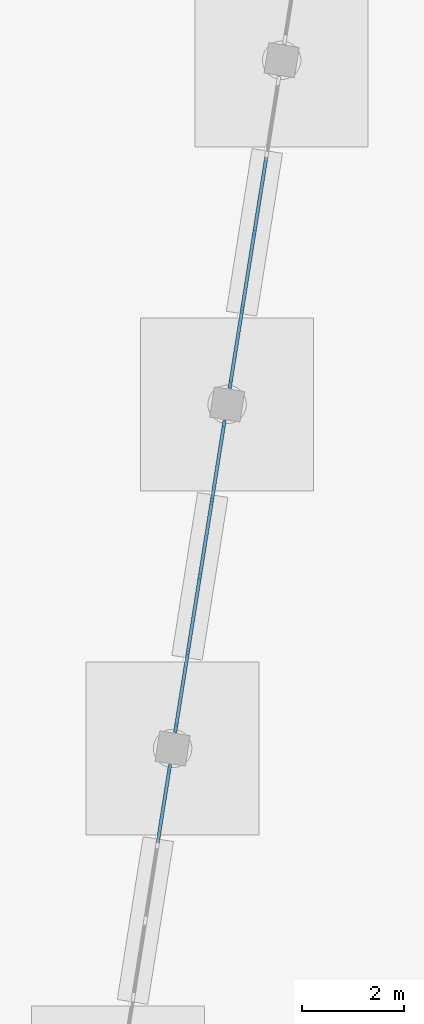
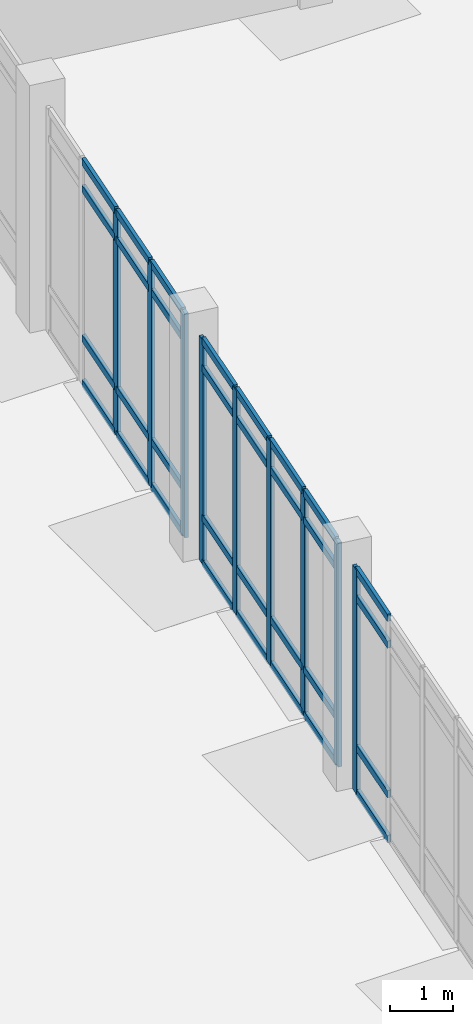
# One storey, part 16 of 72: 41 members, 3 elements without a shape of their own.
"""IFC4 building model written with IfcOpenShell, lengths in metres."""

from ifc_helpers import new_model, si_unit, direction, frame, origin, origin_2d, place, context, subcontext, project, spatial, rectangle, extrude, material, material_profile, profile_set, type_object, element, aggregate, save


model = new_model("IFC4")

# Units and contexts
model_context = context("Model", 3, precision=1e-05, world=origin(), true_north=direction((0.0, 1.0)))
body_context = subcontext(model_context, "Body", "Model", "MODEL_VIEW")
ifc_project = project(units=[si_unit("LENGTHUNIT", "METRE"), si_unit("AREAUNIT", "SQUARE_METRE"), si_unit("VOLUMEUNIT", "CUBIC_METRE"), si_unit("PLANEANGLEUNIT", "RADIAN"), si_unit("MASSUNIT", "GRAM", prefix="KILO")], contexts=[model_context])

# Site, building, storey
site_placement = place(None, origin())
site = spatial("IfcSite", under=ifc_project, at=site_placement, CompositionType="ELEMENT")
building_placement = place(site_placement, origin())
building = spatial("IfcBuilding", under=site, at=building_placement, Name="Cinderway Yard Community Centre", CompositionType="ELEMENT")
storey_placement = place(building_placement, origin())
storey = spatial("IfcBuildingStorey", under=building, at=storey_placement, Name="L00", CompositionType="ELEMENT", Elevation=0.0)

# Curtain wall, member
ifc_material = material(Name="Aluminium 6063-T6", Category="aluminium")
curtain_wall_type = type_object("IfcCurtainWallType", Name="ENV-CW-TYPE-12", PredefinedType="USERDEFINED", material=ifc_material)
curtain_wall_1_placement = place(storey_placement, origin())
curtain_wall_1 = element("IfcCurtainWall", 1, at=curtain_wall_1_placement, inside=storey, type_object=curtain_wall_type, Name="Sports Hall Courtyard Curtain Wall ENV-CW-L00-HS-0046", ObjectType="GLAZED CURTAIN WALL", PredefinedType="USERDEFINED")
ifc_material_profile_1 = material_profile(ifc_material, rectangle(XDim=0.06494140625, YDim=0.179931640625, at=origin_2d()), Name="Aluminium 6063-T6")
ifc_profile_set_1 = profile_set([ifc_material_profile_1], Name="Aluminium 6063-T6")
member_type_1 = type_object("IfcMemberType", Name="ENV-CW-MULL-180", PredefinedType="MULLION", material=ifc_profile_set_1)
member_1_placement = place(storey_placement, frame((121.127197265625, 57.744384765625, 0.0), z_axis=(0.0, 0.0, 1.0), x_axis=(-0.987686334358, 0.1564471314, 0.0)))
member_1 = element("IfcMember", 2, at=member_1_placement, type_object=member_type_1, Name="CW-12 mullion 5", PredefinedType="MULLION", context=body_context, shape_type="SweptSolid", body=[
    extrude(rectangle(XDim=0.06494140625, YDim=0.179931640625, at=origin_2d()), origin(), (0.0, 0.0, 1.0), 4.35009765625),
])

# Curtain wall, members
curtain_wall_2_placement = place(storey_placement, origin())
curtain_wall_2 = element("IfcCurtainWall", 3, at=curtain_wall_2_placement, inside=storey, type_object=curtain_wall_type, Name="Sports Hall Courtyard Curtain Wall ENV-CW-L00-HS-0047", ObjectType="GLAZED CURTAIN WALL", PredefinedType="USERDEFINED")
member_2_placement = place(storey_placement, frame((121.254638671875, 58.5537109375, 0.0), z_axis=(0.0, 0.0, 1.0), x_axis=(-0.987660740525, 0.156608625643, 0.0)))
member_2 = element("IfcMember", 4, at=member_2_placement, type_object=member_type_1, Name="CW-12 mullion 1", PredefinedType="MULLION", context=body_context, shape_type="SweptSolid", body=[
    extrude(rectangle(XDim=0.06494140625, YDim=0.179931640625, at=origin_2d()), origin(), (0.0, 0.0, 1.0), 4.35009765625),
])
member_3_placement = place(storey_placement, frame((121.486572265625, 60.015380859375, 0.0), z_axis=(0.0, 0.0, 1.0), x_axis=(-0.987660740525, 0.156608625643, 0.0)))
member_3 = element("IfcMember", 5, at=member_3_placement, type_object=member_type_1, Name="CW-12 mullion 2", PredefinedType="MULLION", context=body_context, shape_type="SweptSolid", body=[
    extrude(rectangle(XDim=0.06494140625, YDim=0.179931640625, at=origin_2d()), origin(), (0.0, 0.0, 1.0), 4.35009765625),
])
member_4_placement = place(storey_placement, frame((121.722900390625, 61.507080078125, 0.0), z_axis=(0.0, 0.0, 1.0), x_axis=(-0.987660740525, 0.156608625643, 0.0)))
member_4 = element("IfcMember", 6, at=member_4_placement, type_object=member_type_1, Name="CW-12 mullion 3", PredefinedType="MULLION", context=body_context, shape_type="SweptSolid", body=[
    extrude(rectangle(XDim=0.06494140625, YDim=0.179931640625, at=origin_2d()), origin(), (0.0, 0.0, 1.0), 4.35009765625),
])
member_5_placement = place(storey_placement, frame((121.95947265625, 62.99853515625, 0.0), z_axis=(0.0, 0.0, 1.0), x_axis=(-0.987660740525, 0.156608625643, 0.0)))
member_5 = element("IfcMember", 7, at=member_5_placement, type_object=member_type_1, Name="CW-12 mullion 4", PredefinedType="MULLION", context=body_context, shape_type="SweptSolid", body=[
    extrude(rectangle(XDim=0.06494140625, YDim=0.179931640625, at=origin_2d()), origin(), (0.0, 0.0, 1.0), 4.35009765625),
])
member_6_placement = place(storey_placement, frame((122.19140625, 64.46044921875, 0.0), z_axis=(0.0, 0.0, 1.0), x_axis=(-0.987660740525, 0.156608625643, 0.0)))
member_6 = element("IfcMember", 8, at=member_6_placement, type_object=member_type_1, Name="CW-12 mullion 5", PredefinedType="MULLION", context=body_context, shape_type="SweptSolid", body=[
    extrude(rectangle(XDim=0.06494140625, YDim=0.179931640625, at=origin_2d()), origin(), (0.0, 0.0, 1.0), 4.35009765625),
])

curtain_wall_3_placement = place(storey_placement, origin())
curtain_wall_3 = element("IfcCurtainWall", 9, at=curtain_wall_3_placement, inside=storey, type_object=curtain_wall_type, Name="Sports Hall Courtyard Curtain Wall ENV-CW-L00-HS-0048", ObjectType="GLAZED CURTAIN WALL", PredefinedType="USERDEFINED")
member_7_placement = place(storey_placement, frame((122.318603515625, 65.26953125, 0.0), z_axis=(0.0, 0.0, 1.0), x_axis=(-0.987660740525, 0.156608625643, 0.0)))
member_7 = element("IfcMember", 10, at=member_7_placement, type_object=member_type_1, Name="CW-12 mullion 1", PredefinedType="MULLION", context=body_context, shape_type="SweptSolid", body=[
    extrude(rectangle(XDim=0.06494140625, YDim=0.179931640625, at=origin_2d()), origin(), (0.0, 0.0, 1.0), 4.35009765625),
])
member_8_placement = place(storey_placement, frame((122.550537109375, 66.7314453125, 0.0), z_axis=(0.0, 0.0, 1.0), x_axis=(-0.987660740525, 0.156608625643, 0.0)))
member_8 = element("IfcMember", 11, at=member_8_placement, type_object=member_type_1, Name="CW-12 mullion 2", PredefinedType="MULLION", context=body_context, shape_type="SweptSolid", body=[
    extrude(rectangle(XDim=0.06494140625, YDim=0.179931640625, at=origin_2d()), origin(), (0.0, 0.0, 1.0), 4.35009765625),
])
member_9_placement = place(storey_placement, frame((122.787109375, 68.222900390625, 0.0), z_axis=(0.0, 0.0, 1.0), x_axis=(-0.987660740525, 0.156608625643, 0.0)))
member_9 = element("IfcMember", 12, at=member_9_placement, type_object=member_type_1, Name="CW-12 mullion 3", PredefinedType="MULLION", context=body_context, shape_type="SweptSolid", body=[
    extrude(rectangle(XDim=0.06494140625, YDim=0.179931640625, at=origin_2d()), origin(), (0.0, 0.0, 1.0), 4.35009765625),
])

# Member
ifc_material_profile_2 = material_profile(ifc_material, rectangle(XDim=0.06494140625, YDim=0.139892578125, at=origin_2d()), Name="Aluminium 6063-T6")
ifc_profile_set_2 = profile_set([ifc_material_profile_2], Name="Aluminium 6063-T6")
member_type_2 = type_object("IfcMemberType", Name="ENV-CW-TRAN-140", PredefinedType="USERDEFINED", material=ifc_profile_set_2)
member_10_placement = place(storey_placement, frame((120.900390625, 56.31201171875, 0.030029296875), z_axis=(0.156421554245, 0.987690385378, 0.0), x_axis=(-0.987690385378, 0.156421554245, 0.0)))
member_10 = element("IfcMember", 13, at=member_10_placement, type_object=member_type_2, Name="CW-12 transom 4.1", ObjectType="TRANSOM", PredefinedType="USERDEFINED", context=body_context, shape_type="SweptSolid", body=[
    extrude(rectangle(XDim=0.06494140625, YDim=0.139892578125, at=origin_2d()), origin(), (0.0, 0.0, 1.0), 1.42041015625),
])

member_11_placement = place(storey_placement, frame((120.900390625, 56.31201171875, 0.89990234375), z_axis=(0.156421554245, 0.987690385378, 0.0), x_axis=(-0.987690385378, 0.156421554245, 0.0)))
member_11 = element("IfcMember", 14, at=member_11_placement, type_object=member_type_2, Name="CW-12 transom 4.2", ObjectType="TRANSOM", PredefinedType="USERDEFINED", context=body_context, shape_type="SweptSolid", body=[
    extrude(rectangle(XDim=0.06494140625, YDim=0.139892578125, at=origin_2d()), origin(), (0.0, 0.0, 1.0), 1.42041015625),
])

member_12_placement = place(storey_placement, frame((120.900390625, 56.31201171875, 3.800048828125), z_axis=(0.156421554245, 0.987690385378, 0.0), x_axis=(-0.987690385378, 0.156421554245, 0.0)))
member_12 = element("IfcMember", 15, at=member_12_placement, type_object=member_type_2, Name="CW-12 transom 4.3", ObjectType="TRANSOM", PredefinedType="USERDEFINED", context=body_context, shape_type="SweptSolid", body=[
    extrude(rectangle(XDim=0.06494140625, YDim=0.139892578125, at=origin_2d()), origin(), (0.0, 0.0, 1.0), 1.42041015625),
])

member_13_placement = place(storey_placement, frame((120.900390625, 56.31201171875, 4.320068359375), z_axis=(0.156421554245, 0.987690385378, 0.0), x_axis=(-0.987690385378, 0.156421554245, 0.0)))
member_13 = element("IfcMember", 16, at=member_13_placement, type_object=member_type_2, Name="CW-12 transom 4.4", ObjectType="TRANSOM", PredefinedType="USERDEFINED", context=body_context, shape_type="SweptSolid", body=[
    extrude(rectangle(XDim=0.06494140625, YDim=0.139892578125, at=origin_2d()), origin(), (0.0, 0.0, 1.0), 1.42041015625),
])

aggregate(curtain_wall_1, [member_1, member_10, member_11, member_12, member_13])

member_14_placement = place(storey_placement, frame((121.25927734375, 58.583251953125, 0.030029296875), z_axis=(0.156615821604, 0.987659599469, 0.0), x_axis=(-0.987659599469, 0.156615821604, 0.0)))
member_14 = element("IfcMember", 17, at=member_14_placement, type_object=member_type_2, Name="CW-12 transom 1.1", ObjectType="TRANSOM", PredefinedType="USERDEFINED", context=body_context, shape_type="SweptSolid", body=[
    extrude(rectangle(XDim=0.06494140625, YDim=0.139892578125, at=origin_2d()), origin(), (0.0, 0.0, 1.0), 1.420166015625),
])

member_15_placement = place(storey_placement, frame((121.25927734375, 58.583251953125, 0.89990234375), z_axis=(0.156615821604, 0.987659599469, 0.0), x_axis=(-0.987659599469, 0.156615821604, 0.0)))
member_15 = element("IfcMember", 18, at=member_15_placement, type_object=member_type_2, Name="CW-12 transom 1.2", ObjectType="TRANSOM", PredefinedType="USERDEFINED", context=body_context, shape_type="SweptSolid", body=[
    extrude(rectangle(XDim=0.06494140625, YDim=0.139892578125, at=origin_2d()), origin(), (0.0, 0.0, 1.0), 1.420166015625),
])

member_16_placement = place(storey_placement, frame((121.25927734375, 58.583251953125, 3.800048828125), z_axis=(0.156615821604, 0.987659599469, 0.0), x_axis=(-0.987659599469, 0.156615821604, 0.0)))
member_16 = element("IfcMember", 19, at=member_16_placement, type_object=member_type_2, Name="CW-12 transom 1.3", ObjectType="TRANSOM", PredefinedType="USERDEFINED", context=body_context, shape_type="SweptSolid", body=[
    extrude(rectangle(XDim=0.06494140625, YDim=0.139892578125, at=origin_2d()), origin(), (0.0, 0.0, 1.0), 1.420166015625),
])

member_17_placement = place(storey_placement, frame((121.25927734375, 58.583251953125, 4.320068359375), z_axis=(0.156615821604, 0.987659599469, 0.0), x_axis=(-0.987659599469, 0.156615821604, 0.0)))
member_17 = element("IfcMember", 20, at=member_17_placement, type_object=member_type_2, Name="CW-12 transom 1.4", ObjectType="TRANSOM", PredefinedType="USERDEFINED", context=body_context, shape_type="SweptSolid", body=[
    extrude(rectangle(XDim=0.06494140625, YDim=0.139892578125, at=origin_2d()), origin(), (0.0, 0.0, 1.0), 1.420166015625),
])

member_18_placement = place(storey_placement, frame((121.4912109375, 60.045166015625, 0.030029296875), z_axis=(0.156585060263, 0.987664476886, 0.0), x_axis=(-0.987664476886, 0.156585060263, 0.0)))
member_18 = element("IfcMember", 21, at=member_18_placement, type_object=member_type_2, Name="CW-12 transom 2.1", ObjectType="TRANSOM", PredefinedType="USERDEFINED", context=body_context, shape_type="SweptSolid", body=[
    extrude(rectangle(XDim=0.06494140625, YDim=0.139892578125, at=origin_2d()), origin(), (0.0, 0.0, 1.0), 1.449951171875),
])

member_19_placement = place(storey_placement, frame((121.4912109375, 60.045166015625, 0.89990234375), z_axis=(0.156585060263, 0.987664476886, 0.0), x_axis=(-0.987664476886, 0.156585060263, 0.0)))
member_19 = element("IfcMember", 22, at=member_19_placement, type_object=member_type_2, Name="CW-12 transom 2.2", ObjectType="TRANSOM", PredefinedType="USERDEFINED", context=body_context, shape_type="SweptSolid", body=[
    extrude(rectangle(XDim=0.06494140625, YDim=0.139892578125, at=origin_2d()), origin(), (0.0, 0.0, 1.0), 1.449951171875),
])

member_20_placement = place(storey_placement, frame((121.4912109375, 60.045166015625, 3.800048828125), z_axis=(0.156585060263, 0.987664476886, 0.0), x_axis=(-0.987664476886, 0.156585060263, 0.0)))
member_20 = element("IfcMember", 23, at=member_20_placement, type_object=member_type_2, Name="CW-12 transom 2.3", ObjectType="TRANSOM", PredefinedType="USERDEFINED", context=body_context, shape_type="SweptSolid", body=[
    extrude(rectangle(XDim=0.06494140625, YDim=0.139892578125, at=origin_2d()), origin(), (0.0, 0.0, 1.0), 1.449951171875),
])

member_21_placement = place(storey_placement, frame((121.4912109375, 60.045166015625, 4.320068359375), z_axis=(0.156585060263, 0.987664476886, 0.0), x_axis=(-0.987664476886, 0.156585060263, 0.0)))
member_21 = element("IfcMember", 24, at=member_21_placement, type_object=member_type_2, Name="CW-12 transom 2.4", ObjectType="TRANSOM", PredefinedType="USERDEFINED", context=body_context, shape_type="SweptSolid", body=[
    extrude(rectangle(XDim=0.06494140625, YDim=0.139892578125, at=origin_2d()), origin(), (0.0, 0.0, 1.0), 1.449951171875),
])

member_22_placement = place(storey_placement, frame((121.727783203125, 61.53662109375, 0.030029296875), z_axis=(0.156585060263, 0.987664476886, 0.0), x_axis=(-0.987664476886, 0.156585060263, 0.0)))
member_22 = element("IfcMember", 25, at=member_22_placement, type_object=member_type_2, Name="CW-12 transom 3.1", ObjectType="TRANSOM", PredefinedType="USERDEFINED", context=body_context, shape_type="SweptSolid", body=[
    extrude(rectangle(XDim=0.06494140625, YDim=0.139892578125, at=origin_2d()), origin(), (0.0, 0.0, 1.0), 1.449951171875),
])

member_23_placement = place(storey_placement, frame((121.727783203125, 61.53662109375, 0.89990234375), z_axis=(0.156585060263, 0.987664476886, 0.0), x_axis=(-0.987664476886, 0.156585060263, 0.0)))
member_23 = element("IfcMember", 26, at=member_23_placement, type_object=member_type_2, Name="CW-12 transom 3.2", ObjectType="TRANSOM", PredefinedType="USERDEFINED", context=body_context, shape_type="SweptSolid", body=[
    extrude(rectangle(XDim=0.06494140625, YDim=0.139892578125, at=origin_2d()), origin(), (0.0, 0.0, 1.0), 1.449951171875),
])

member_24_placement = place(storey_placement, frame((121.727783203125, 61.53662109375, 3.800048828125), z_axis=(0.156585060263, 0.987664476886, 0.0), x_axis=(-0.987664476886, 0.156585060263, 0.0)))
member_24 = element("IfcMember", 27, at=member_24_placement, type_object=member_type_2, Name="CW-12 transom 3.3", ObjectType="TRANSOM", PredefinedType="USERDEFINED", context=body_context, shape_type="SweptSolid", body=[
    extrude(rectangle(XDim=0.06494140625, YDim=0.139892578125, at=origin_2d()), origin(), (0.0, 0.0, 1.0), 1.449951171875),
])

member_25_placement = place(storey_placement, frame((121.727783203125, 61.53662109375, 4.320068359375), z_axis=(0.156585060263, 0.987664476886, 0.0), x_axis=(-0.987664476886, 0.156585060263, 0.0)))
member_25 = element("IfcMember", 28, at=member_25_placement, type_object=member_type_2, Name="CW-12 transom 3.4", ObjectType="TRANSOM", PredefinedType="USERDEFINED", context=body_context, shape_type="SweptSolid", body=[
    extrude(rectangle(XDim=0.06494140625, YDim=0.139892578125, at=origin_2d()), origin(), (0.0, 0.0, 1.0), 1.449951171875),
])

member_26_placement = place(storey_placement, frame((121.964111328125, 63.028076171875, 0.030029296875), z_axis=(0.156615821604, 0.987659599469, 0.0), x_axis=(-0.987659599469, 0.156615821604, 0.0)))
member_26 = element("IfcMember", 29, at=member_26_placement, type_object=member_type_2, Name="CW-12 transom 4.1", ObjectType="TRANSOM", PredefinedType="USERDEFINED", context=body_context, shape_type="SweptSolid", body=[
    extrude(rectangle(XDim=0.06494140625, YDim=0.139892578125, at=origin_2d()), origin(), (0.0, 0.0, 1.0), 1.420166015625),
])

member_27_placement = place(storey_placement, frame((121.964111328125, 63.028076171875, 0.89990234375), z_axis=(0.156615821604, 0.987659599469, 0.0), x_axis=(-0.987659599469, 0.156615821604, 0.0)))
member_27 = element("IfcMember", 30, at=member_27_placement, type_object=member_type_2, Name="CW-12 transom 4.2", ObjectType="TRANSOM", PredefinedType="USERDEFINED", context=body_context, shape_type="SweptSolid", body=[
    extrude(rectangle(XDim=0.06494140625, YDim=0.139892578125, at=origin_2d()), origin(), (0.0, 0.0, 1.0), 1.420166015625),
])

member_28_placement = place(storey_placement, frame((121.964111328125, 63.028076171875, 3.800048828125), z_axis=(0.156615821604, 0.987659599469, 0.0), x_axis=(-0.987659599469, 0.156615821604, 0.0)))
member_28 = element("IfcMember", 31, at=member_28_placement, type_object=member_type_2, Name="CW-12 transom 4.3", ObjectType="TRANSOM", PredefinedType="USERDEFINED", context=body_context, shape_type="SweptSolid", body=[
    extrude(rectangle(XDim=0.06494140625, YDim=0.139892578125, at=origin_2d()), origin(), (0.0, 0.0, 1.0), 1.420166015625),
])

member_29_placement = place(storey_placement, frame((121.964111328125, 63.028076171875, 4.320068359375), z_axis=(0.156615821604, 0.987659599469, 0.0), x_axis=(-0.987659599469, 0.156615821604, 0.0)))
member_29 = element("IfcMember", 32, at=member_29_placement, type_object=member_type_2, Name="CW-12 transom 4.4", ObjectType="TRANSOM", PredefinedType="USERDEFINED", context=body_context, shape_type="SweptSolid", body=[
    extrude(rectangle(XDim=0.06494140625, YDim=0.139892578125, at=origin_2d()), origin(), (0.0, 0.0, 1.0), 1.420166015625),
])

aggregate(curtain_wall_2, [member_2, member_3, member_4, member_5, member_6, member_14, member_15, member_16, member_17, member_18, member_19, member_20, member_21, member_22, member_23, member_24, member_25, member_26, member_27, member_28, member_29])

member_30_placement = place(storey_placement, frame((122.323486328125, 65.29931640625, 0.030029296875), z_axis=(0.156615821604, 0.987659599469, 0.0), x_axis=(-0.987659599469, 0.156615821604, 0.0)))
member_30 = element("IfcMember", 33, at=member_30_placement, type_object=member_type_2, Name="CW-12 transom 1.1", ObjectType="TRANSOM", PredefinedType="USERDEFINED", context=body_context, shape_type="SweptSolid", body=[
    extrude(rectangle(XDim=0.06494140625, YDim=0.139892578125, at=origin_2d()), origin(), (0.0, 0.0, 1.0), 1.420166015625),
])

member_31_placement = place(storey_placement, frame((122.323486328125, 65.29931640625, 0.89990234375), z_axis=(0.156615821604, 0.987659599469, 0.0), x_axis=(-0.987659599469, 0.156615821604, 0.0)))
member_31 = element("IfcMember", 34, at=member_31_placement, type_object=member_type_2, Name="CW-12 transom 1.2", ObjectType="TRANSOM", PredefinedType="USERDEFINED", context=body_context, shape_type="SweptSolid", body=[
    extrude(rectangle(XDim=0.06494140625, YDim=0.139892578125, at=origin_2d()), origin(), (0.0, 0.0, 1.0), 1.420166015625),
])

member_32_placement = place(storey_placement, frame((122.323486328125, 65.29931640625, 3.800048828125), z_axis=(0.156615821604, 0.987659599469, 0.0), x_axis=(-0.987659599469, 0.156615821604, 0.0)))
member_32 = element("IfcMember", 35, at=member_32_placement, type_object=member_type_2, Name="CW-12 transom 1.3", ObjectType="TRANSOM", PredefinedType="USERDEFINED", context=body_context, shape_type="SweptSolid", body=[
    extrude(rectangle(XDim=0.06494140625, YDim=0.139892578125, at=origin_2d()), origin(), (0.0, 0.0, 1.0), 1.420166015625),
])

member_33_placement = place(storey_placement, frame((122.323486328125, 65.29931640625, 4.320068359375), z_axis=(0.156615821604, 0.987659599469, 0.0), x_axis=(-0.987659599469, 0.156615821604, 0.0)))
member_33 = element("IfcMember", 36, at=member_33_placement, type_object=member_type_2, Name="CW-12 transom 1.4", ObjectType="TRANSOM", PredefinedType="USERDEFINED", context=body_context, shape_type="SweptSolid", body=[
    extrude(rectangle(XDim=0.06494140625, YDim=0.139892578125, at=origin_2d()), origin(), (0.0, 0.0, 1.0), 1.420166015625),
])

member_34_placement = place(storey_placement, frame((122.55517578125, 66.76123046875, 0.030029296875), z_axis=(0.156585060263, 0.987664476886, 0.0), x_axis=(-0.987664476886, 0.156585060263, 0.0)))
member_34 = element("IfcMember", 37, at=member_34_placement, type_object=member_type_2, Name="CW-12 transom 2.1", ObjectType="TRANSOM", PredefinedType="USERDEFINED", context=body_context, shape_type="SweptSolid", body=[
    extrude(rectangle(XDim=0.06494140625, YDim=0.139892578125, at=origin_2d()), origin(), (0.0, 0.0, 1.0), 1.449951171875),
])

member_35_placement = place(storey_placement, frame((122.55517578125, 66.76123046875, 0.89990234375), z_axis=(0.156585060263, 0.987664476886, 0.0), x_axis=(-0.987664476886, 0.156585060263, 0.0)))
member_35 = element("IfcMember", 38, at=member_35_placement, type_object=member_type_2, Name="CW-12 transom 2.2", ObjectType="TRANSOM", PredefinedType="USERDEFINED", context=body_context, shape_type="SweptSolid", body=[
    extrude(rectangle(XDim=0.06494140625, YDim=0.139892578125, at=origin_2d()), origin(), (0.0, 0.0, 1.0), 1.449951171875),
])

member_36_placement = place(storey_placement, frame((122.55517578125, 66.76123046875, 3.800048828125), z_axis=(0.156585060263, 0.987664476886, 0.0), x_axis=(-0.987664476886, 0.156585060263, 0.0)))
member_36 = element("IfcMember", 39, at=member_36_placement, type_object=member_type_2, Name="CW-12 transom 2.3", ObjectType="TRANSOM", PredefinedType="USERDEFINED", context=body_context, shape_type="SweptSolid", body=[
    extrude(rectangle(XDim=0.06494140625, YDim=0.139892578125, at=origin_2d()), origin(), (0.0, 0.0, 1.0), 1.449951171875),
])

member_37_placement = place(storey_placement, frame((122.55517578125, 66.76123046875, 4.320068359375), z_axis=(0.156585060263, 0.987664476886, 0.0), x_axis=(-0.987664476886, 0.156585060263, 0.0)))
member_37 = element("IfcMember", 40, at=member_37_placement, type_object=member_type_2, Name="CW-12 transom 2.4", ObjectType="TRANSOM", PredefinedType="USERDEFINED", context=body_context, shape_type="SweptSolid", body=[
    extrude(rectangle(XDim=0.06494140625, YDim=0.139892578125, at=origin_2d()), origin(), (0.0, 0.0, 1.0), 1.449951171875),
])

member_38_placement = place(storey_placement, frame((122.791748046875, 68.252685546875, 0.030029296875), z_axis=(0.156585060263, 0.987664476886, 0.0), x_axis=(-0.987664476886, 0.156585060263, 0.0)))
member_38 = element("IfcMember", 41, at=member_38_placement, type_object=member_type_2, Name="CW-12 transom 3.1", ObjectType="TRANSOM", PredefinedType="USERDEFINED", context=body_context, shape_type="SweptSolid", body=[
    extrude(rectangle(XDim=0.06494140625, YDim=0.139892578125, at=origin_2d()), origin(), (0.0, 0.0, 1.0), 1.449951171875),
])

member_39_placement = place(storey_placement, frame((122.791748046875, 68.252685546875, 0.89990234375), z_axis=(0.156585060263, 0.987664476886, 0.0), x_axis=(-0.987664476886, 0.156585060263, 0.0)))
member_39 = element("IfcMember", 42, at=member_39_placement, type_object=member_type_2, Name="CW-12 transom 3.2", ObjectType="TRANSOM", PredefinedType="USERDEFINED", context=body_context, shape_type="SweptSolid", body=[
    extrude(rectangle(XDim=0.06494140625, YDim=0.139892578125, at=origin_2d()), origin(), (0.0, 0.0, 1.0), 1.449951171875),
])

member_40_placement = place(storey_placement, frame((122.791748046875, 68.252685546875, 3.800048828125), z_axis=(0.156585060263, 0.987664476886, 0.0), x_axis=(-0.987664476886, 0.156585060263, 0.0)))
member_40 = element("IfcMember", 43, at=member_40_placement, type_object=member_type_2, Name="CW-12 transom 3.3", ObjectType="TRANSOM", PredefinedType="USERDEFINED", context=body_context, shape_type="SweptSolid", body=[
    extrude(rectangle(XDim=0.06494140625, YDim=0.139892578125, at=origin_2d()), origin(), (0.0, 0.0, 1.0), 1.449951171875),
])

member_41_placement = place(storey_placement, frame((122.791748046875, 68.252685546875, 4.320068359375), z_axis=(0.156585060263, 0.987664476886, 0.0), x_axis=(-0.987664476886, 0.156585060263, 0.0)))
member_41 = element("IfcMember", 44, at=member_41_placement, type_object=member_type_2, Name="CW-12 transom 3.4", ObjectType="TRANSOM", PredefinedType="USERDEFINED", context=body_context, shape_type="SweptSolid", body=[
    extrude(rectangle(XDim=0.06494140625, YDim=0.139892578125, at=origin_2d()), origin(), (0.0, 0.0, 1.0), 1.449951171875),
])

aggregate(curtain_wall_3, [member_7, member_8, member_9, member_30, member_31, member_32, member_33, member_34, member_35, member_36, member_37, member_38, member_39, member_40, member_41])

save(model, "model.ifc")
